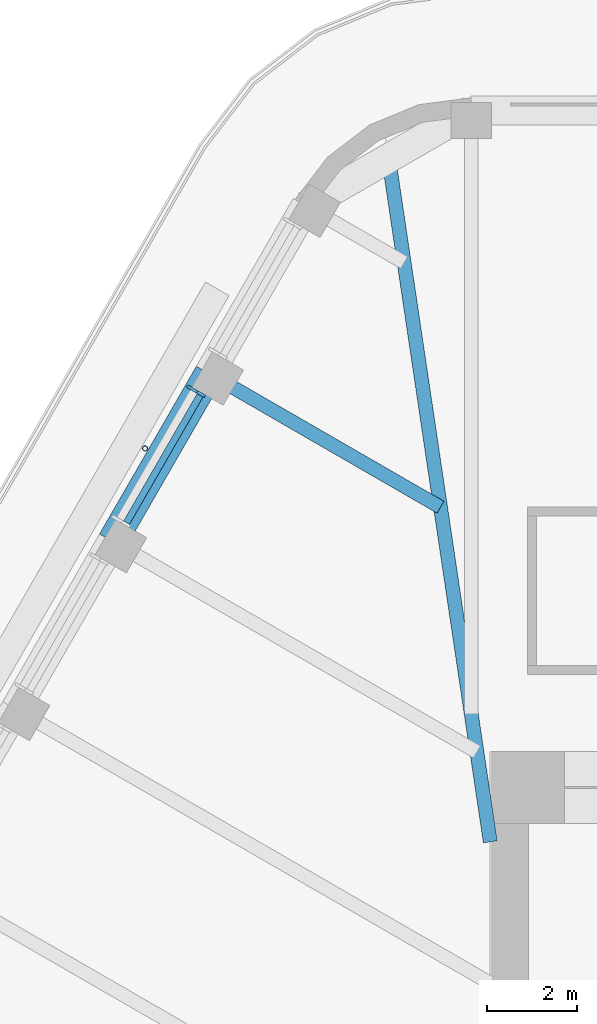
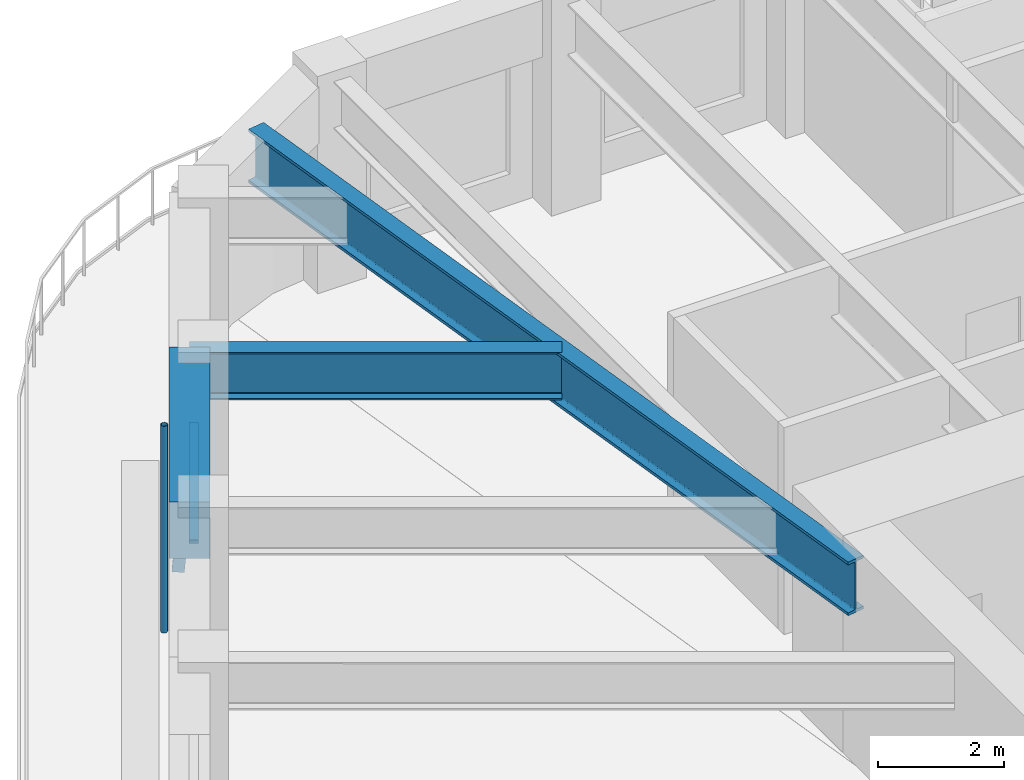
# One storey, part 8 of 19: 3 beams, 3 members, 1 element without a shape of its own.
"""IFC4 building model written with IfcOpenShell, lengths in metres."""

from ifc_helpers import new_model, si_unit, direction, frame, origin, origin_2d, place, context, subcontext, project, spatial, rectangle, hollow_circle, i_section, extrude, material, material_profile, profile_set, type_object, element, aggregate, save


model = new_model("IFC4")

# Units and contexts
model_context = context("Model", 3, precision=1e-05, world=origin(), true_north=direction((0.0, 1.0)))
body_context = subcontext(model_context, "Body", "Model", "MODEL_VIEW")
ifc_project = project(units=[si_unit("LENGTHUNIT", "METRE"), si_unit("AREAUNIT", "SQUARE_METRE"), si_unit("VOLUMEUNIT", "CUBIC_METRE"), si_unit("PLANEANGLEUNIT", "RADIAN"), si_unit("MASSUNIT", "GRAM", prefix="KILO")], contexts=[model_context])

# Site, building, storey
site_placement = place(None, origin())
site = spatial("IfcSite", under=ifc_project, at=site_placement, CompositionType="ELEMENT")
building_placement = place(site_placement, origin())
building = spatial("IfcBuilding", under=site, at=building_placement, Name="Tarfa Lantern Tower", CompositionType="ELEMENT")
storey_placement = place(building_placement, frame((0.0, 0.0, 361.89990234375)))
storey = spatial("IfcBuildingStorey", under=building, at=storey_placement, Name="L82", CompositionType="ELEMENT", Elevation=361.89990234375)

# Curtain wall, members
ifc_material_1 = material(Name="Aluminium framed curtain wall", Category="aluminium")
curtain_wall_type = type_object("IfcCurtainWallType", Name="CW4 CANTED GLAZING EXECUTIVE ZONE 2900", PredefinedType="USERDEFINED", material=ifc_material_1)
curtain_wall_placement = place(storey_placement, origin())
curtain_wall = element("IfcCurtainWall", 1, at=curtain_wall_placement, inside=storey, type_object=curtain_wall_type, Name="CW4 NW L82", ObjectType="CURTAIN WALL", PredefinedType="USERDEFINED")
ifc_material_2 = material(Name="Aluminium mullion", Category="aluminium")
ifc_material_profile_1 = material_profile(ifc_material_2, rectangle(XDim=0.06494140625, YDim=0.199951171875, at=origin_2d()), Name="AL MULLION 65x200")
ifc_profile_set_1 = profile_set([ifc_material_profile_1], Name="Aluminium mullion")
member_type_1 = type_object("IfcMemberType", Name="CWM1 MULLION 65x200", PredefinedType="MULLION", material=ifc_profile_set_1)
member_1_placement = place(storey_placement, frame((-19.038818359375, 20.32373046875, 0.0), z_axis=(0.074393603155, -0.042941967097, 0.996303959277), x_axis=(0.499919672301, 0.866071776036, 0.0)))
member_1 = element("IfcMember", 2, at=member_1_placement, type_object=member_type_1, Name="CW4 mullion 1", PredefinedType="MULLION", context=body_context, shape_type="SweptSolid", body=[
    extrude(rectangle(XDim=0.06494140625, YDim=0.199951171875, at=origin_2d()), origin(), (0.0, 0.0, 1.0), 2.910888671875),
])
ifc_material_3 = material(Name="Aluminium transom", Category="aluminium")
ifc_material_profile_2 = material_profile(ifc_material_3, rectangle(XDim=0.14990234375, YDim=0.06494140625, at=origin_2d()), Name="AL TRANSOM 150x65")
ifc_profile_set_2 = profile_set([ifc_material_profile_2], Name="Aluminium transom")
member_type_2 = type_object("IfcMemberType", Name="CWT1 TRANSOM 150x65", PredefinedType="USERDEFINED", material=ifc_profile_set_2)
member_2_placement = place(storey_placement, frame((-18.841064453125, 20.172119140625, 2.86767578125), z_axis=(-0.499982393232, -0.866035568818, 0.0), x_axis=(0.866035568818, -0.499982393232, 0.0)))
member_2 = element("IfcMember", 3, at=member_2_placement, type_object=member_type_2, Name="CW4 transom 1.2", ObjectType="TRANSOM", PredefinedType="USERDEFINED", context=body_context, shape_type="SweptSolid", body=[
    extrude(rectangle(XDim=0.14990234375, YDim=0.06494140625, at=origin_2d()), origin(), (0.0, 0.0, 1.0), 3.251953125),
])
aggregate(curtain_wall, [member_1, member_2])

# Beam
ifc_material_4 = material(Name="Concrete C80/95", Category="concrete")
ifc_material_profile_3 = material_profile(ifc_material_4, rectangle(XDim=0.64990234375, YDim=1.10009765625, at=origin_2d()), Name="RC 650x1100")
ifc_profile_set_3 = profile_set([ifc_material_profile_3], Name="Concrete C80/95")
beam_type_1 = type_object("IfcBeamType", Name="EB4 RC 650x1100", PredefinedType="SPANDREL", material=ifc_profile_set_3)
beam_1_placement = place(storey_placement, frame((-18.6416015625, 20.651611328125, 3.4501953125), z_axis=(-0.500026801138, -0.866009929587, 0.0), x_axis=(0.866009929587, -0.500026801138, 0.0)))
element("IfcBeam", 4, at=beam_1_placement, inside=storey, type_object=beam_type_1, Name="Edge beam NW1", PredefinedType="SPANDREL", context=body_context, shape_type="SweptSolid", body=[
    extrude(rectangle(XDim=0.64990234375, YDim=1.10009765625, at=origin_2d()), origin(), (0.0, 0.0, 1.0), 4.281982421875),
])

# Member
ifc_material_5 = material(Name="Steel S355", Category="steel")
ifc_material_profile_4 = material_profile(ifc_material_5, hollow_circle(Radius=0.05712890625, WallThickness=0.00634765625, at=origin_2d()), Name="CHS114.3x6.3")
ifc_profile_set_4 = profile_set([ifc_material_profile_4], Name="Steel S355")
member_type_3 = type_object("IfcMemberType", Name="TR1 GREEN WALL TRELLIS CHS114.3x6.3", PredefinedType="USERDEFINED", material=ifc_profile_set_4)
member_3_placement = place(storey_placement, frame((-20.05859375, 18.99755859375, 0.0), z_axis=(0.0, 0.0, 1.0), x_axis=(1.0, 0.0, 0.0)))
element("IfcMember", 5, at=member_3_placement, inside=storey, type_object=member_type_3, Name="Trellis post NW 1", ObjectType="TRELLIS", PredefinedType="USERDEFINED", context=body_context, shape_type="SweptSolid", body=[
    extrude(hollow_circle(Radius=0.05712890625, WallThickness=0.00634765625, at=origin_2d()), origin(), (0.0, 0.0, 1.0), 4.0),
])

# Beams
ifc_material_6 = material(Name="Steel S460M", Category="steel")
ifc_material_profile_5 = material_profile(ifc_material_6, i_section(OverallWidth=0.30859375, OverallDepth=1.036376953125, WebThickness=0.030029296875, FlangeThickness=0.05419921875, FilletRadius=0.030029296875, at=origin_2d()), Name="UB1016x305x487")
ifc_profile_set_5 = profile_set([ifc_material_profile_5], Name="Steel S460M")
beam_type_2 = type_object("IfcBeamType", Name="UB1016x305x487", PredefinedType="BEAM", material=ifc_profile_set_5)
beam_2_placement = place(storey_placement, frame((-12.425048828125, 10.300048828125, 3.48193359375), z_axis=(-0.147127069073, 0.989117599452, 0.0), x_axis=(-0.989117599452, -0.147127069073, 0.0)))
element("IfcBeam", 6, at=beam_2_placement, inside=storey, type_object=beam_type_2, Name="Hip girder NW", PredefinedType="BEAM", context=body_context, shape_type="SweptSolid", body=[
    extrude(i_section(OverallWidth=0.30859375, OverallDepth=1.036376953125, WebThickness=0.030029296875, FlangeThickness=0.05419921875, FilletRadius=0.030029296875, at=origin_2d()), origin(), (0.0, 0.0, 1.0), 15.28125),
])
ifc_material_profile_6 = material_profile(ifc_material_6, i_section(OverallWidth=0.305419921875, OverallDepth=0.91845703125, WebThickness=0.017333984375, FlangeThickness=0.02783203125, FilletRadius=0.01904296875, at=origin_2d()), Name="UB914x305x253")
ifc_profile_set_6 = profile_set([ifc_material_profile_6], Name="Steel S460M")
beam_type_3 = type_object("IfcBeamType", Name="UB914x305x253", PredefinedType="BEAM", material=ifc_profile_set_6)
beam_3_placement = place(storey_placement, frame((-18.6416015625, 20.651611328125, 3.541015625), z_axis=(0.866024549157, -0.500001480256, 0.0), x_axis=(0.500001480256, 0.866024549157, 0.0)))
element("IfcBeam", 7, at=beam_3_placement, inside=storey, type_object=beam_type_3, Name="Floor beam NW1", PredefinedType="BEAM", context=body_context, shape_type="SweptSolid", body=[
    extrude(i_section(OverallWidth=0.305419921875, OverallDepth=0.91845703125, WebThickness=0.017333984375, FlangeThickness=0.02783203125, FilletRadius=0.01904296875, at=origin_2d()), origin(), (0.0, 0.0, 1.0), 5.90771484375),
])

save(model, "model.ifc")
